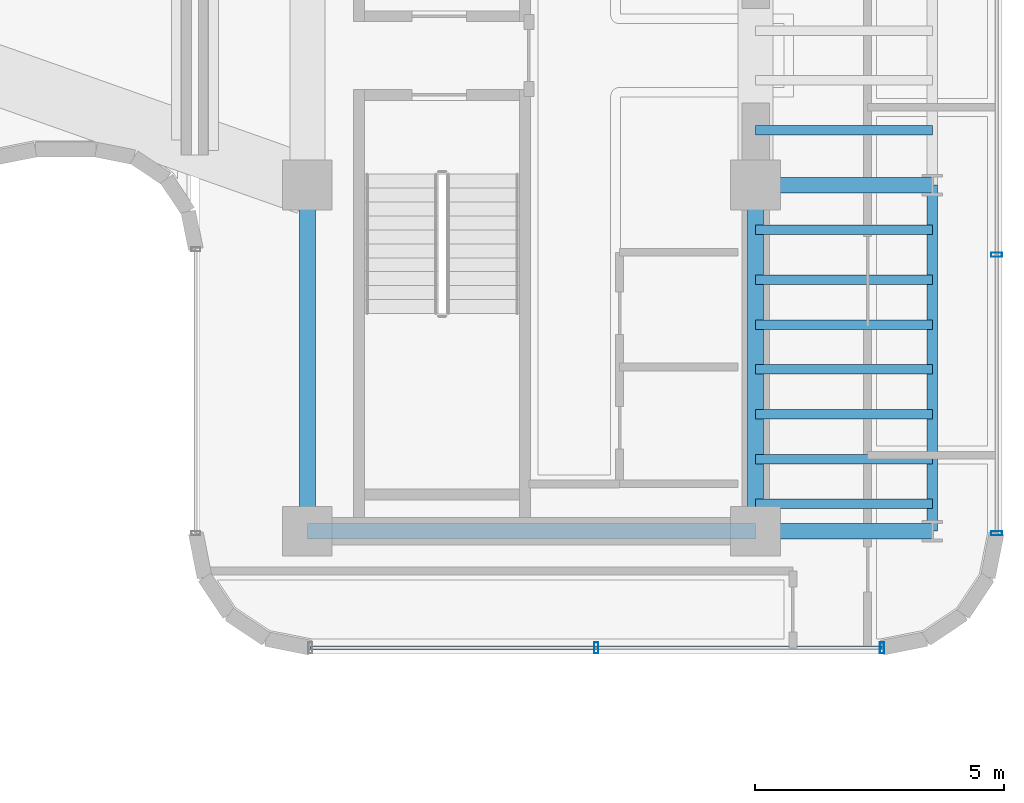
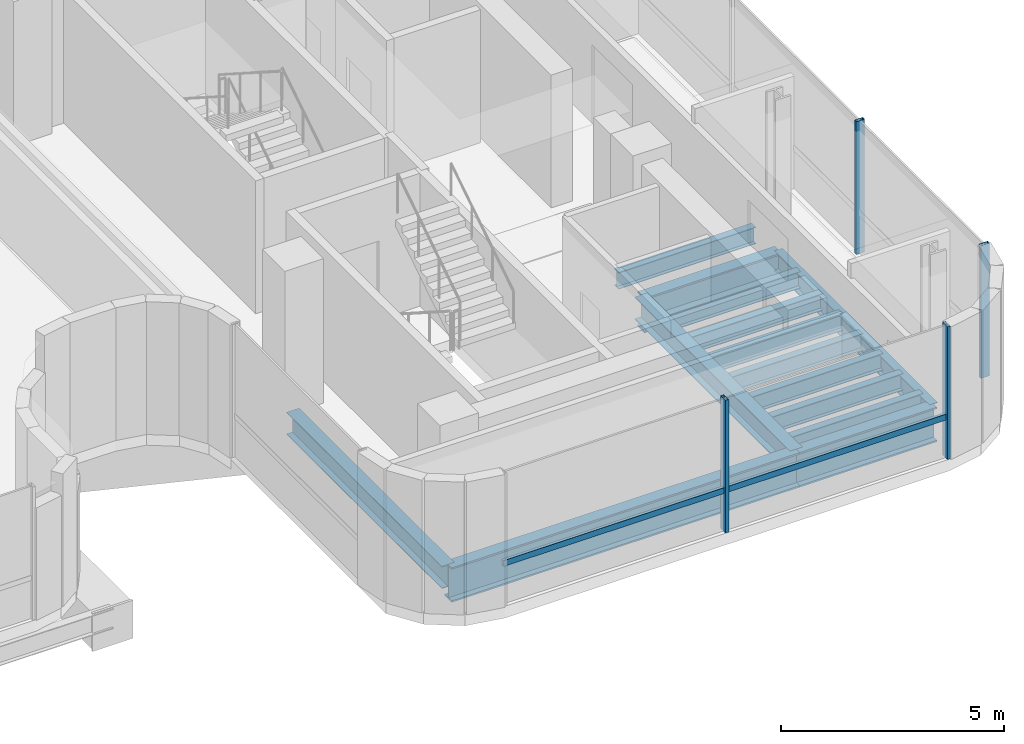
# One storey, part 12 of 36: 14 beams, 5 members, 2 elements without a shape of their own.
"""IFC4 building model written with IfcOpenShell, lengths in metres."""

from ifc_helpers import new_model, si_unit, direction, frame, origin, origin_2d, place, context, subcontext, project, spatial, hollow_rectangle, i_section, extrude, source, transform, mapped, material, material_profile, profile_set, type_object, element, aggregate, save


model = new_model("IFC4")

# Units and contexts
model_context = context("Model", 3, precision=1e-05, world=origin(), true_north=direction((0.0, 1.0)))
body_context = subcontext(model_context, "Body", "Model", "MODEL_VIEW")
ifc_project = project(units=[si_unit("LENGTHUNIT", "METRE"), si_unit("AREAUNIT", "SQUARE_METRE"), si_unit("VOLUMEUNIT", "CUBIC_METRE"), si_unit("PLANEANGLEUNIT", "RADIAN"), si_unit("MASSUNIT", "GRAM", prefix="KILO")], contexts=[model_context])

# Site, building, storey
site_placement = place(None, origin())
site = spatial("IfcSite", under=ifc_project, at=site_placement, CompositionType="ELEMENT")
building_placement = place(site_placement, origin())
building = spatial("IfcBuilding", under=site, at=building_placement, Name="Valdorenza Pilgrim Sanctuary Tower", CompositionType="ELEMENT")
storey_placement = place(building_placement, frame((0.0, 0.0, 176.550048828125)))
storey = spatial("IfcBuildingStorey", under=building, at=storey_placement, Name="L45", CompositionType="ELEMENT", Elevation=176.550048828125)

# Beams
ifc_material_1 = material(Name="Steel ASTM A992 Grade 50", Category="steel")
ifc_material_profile_1 = material_profile(ifc_material_1, i_section(OverallWidth=0.323974609375, OverallDepth=0.611083984375, WebThickness=0.0126953125, FlangeThickness=0.01904296875, at=origin_2d()), Name="W24X104")
ifc_profile_set_1 = profile_set([ifc_material_profile_1], Name="Steel ASTM A992 Grade 50")
beam_type_1 = type_object("IfcBeamType", Name="STR-BM-GRD-W24B", PredefinedType="BEAM", material=ifc_profile_set_1)
shared_shape_1 = source(origin(), body_context, "Body", "SweptSolid", [
    extrude(i_section(OverallWidth=0.323974609375, OverallDepth=0.611083984375, WebThickness=0.0126953125, FlangeThickness=0.01904296875, at=origin_2d()), origin(), (0.0, 0.0, 1.0), 6.949951171875),
])
for number, where, z_axis, x_axis, name in (
    (1, (15.85009765625, -9.550048828125, -0.62548828125), (0.0, 1.0, 0.0), (-1.0, 0.0, 0.0), "L45 Core Tie Girder CB-W-S1M0"),
    (2, (24.85009765625, -9.550048828125, -0.62548828125), (0.0, 1.0, 0.0), (-1.0, 0.0, 0.0), "L45 Core Tie Girder CB-E-S1M0"),
):
    element("IfcBeam", number, at=place(storey_placement, frame(where, z_axis=z_axis, x_axis=x_axis)), inside=storey, type_object=beam_type_1, Name=name, PredefinedType="BEAM", context=body_context, shape_type="MappedRepresentation", body=[
        mapped(shared_shape_1, transform((0.0, 0.0, 0.0), x_axis=(1.0, 0.0, 0.0), y_axis=(0.0, 1.0, 0.0), z_axis=(0.0, 0.0, 1.0), scale=1.0)),
    ])
ifc_material_profile_2 = material_profile(ifc_material_1, i_section(OverallWidth=0.19091796875, OverallDepth=0.45703125, WebThickness=0.009033203125, FlangeThickness=0.014404296875, at=origin_2d()), Name="W18X50")
ifc_profile_set_2 = profile_set([ifc_material_profile_2], Name="Steel ASTM A992 Grade 50")
beam_type_2 = type_object("IfcBeamType", Name="STR-BM-JST-W18B", PredefinedType="JOIST", material=ifc_profile_set_2)
shared_shape_2 = source(origin(), body_context, "Body", "SweptSolid", [
    extrude(i_section(OverallWidth=0.19091796875, OverallDepth=0.45703125, WebThickness=0.009033203125, FlangeThickness=0.014404296875, at=origin_2d()), origin(), (0.0, 0.0, 1.0), 3.5498046875),
])
for number, where, z_axis, x_axis, name in (
    (3, (24.85009765625, -9.0, -0.548583984375), (1.0, 0.0, 0.0), (0.0, 1.0, 0.0), "L45 Composite Floor Joist JST-WB-1"),
    (4, (24.85009765625, -8.10009765625, -0.548583984375), (1.0, 0.0, 0.0), (0.0, 1.0, 0.0), "L45 Composite Floor Joist JST-WB-2"),
    (5, (24.85009765625, -7.199951171875, -0.548583984375), (1.0, 0.0, 0.0), (0.0, 1.0, 0.0), "L45 Composite Floor Joist JST-WB-3"),
    (6, (24.85009765625, -6.300048828125, -0.548583984375), (1.0, 0.0, 0.0), (0.0, 1.0, 0.0), "L45 Composite Floor Joist JST-WB-4"),
    (7, (24.85009765625, -5.39990234375, -0.548583984375), (1.0, 0.0, 0.0), (0.0, 1.0, 0.0), "L45 Composite Floor Joist JST-WB-5"),
    (8, (24.85009765625, -4.5, -0.548583984375), (1.0, 0.0, 0.0), (0.0, 1.0, 0.0), "L45 Composite Floor Joist JST-WB-6"),
    (9, (24.85009765625, -3.5, -0.548583984375), (1.0, 0.0, 0.0), (0.0, 1.0, 0.0), "L45 Composite Floor Joist JST-WB-7"),
    (10, (24.85009765625, -1.5, -0.548583984375), (1.0, 0.0, 0.0), (0.0, 1.0, 0.0), "L45 Composite Floor Joist JST-WB-8"),
):
    element("IfcBeam", number, at=place(storey_placement, frame(where, z_axis=z_axis, x_axis=x_axis)), inside=storey, type_object=beam_type_2, Name=name, PredefinedType="JOIST", context=body_context, shape_type="MappedRepresentation", body=[
        mapped(shared_shape_2, transform((0.0, 0.0, 0.0), x_axis=(1.0, 0.0, 0.0), y_axis=(0.0, 1.0, 0.0), z_axis=(0.0, 0.0, 1.0), scale=1.0)),
    ])
ifc_material_profile_3 = material_profile(ifc_material_1, i_section(OverallWidth=0.2109375, OverallDepth=0.5390625, WebThickness=0.01171875, FlangeThickness=0.018798828125, at=origin_2d()), Name="W21X73")
ifc_profile_set_3 = profile_set([ifc_material_profile_3], Name="Steel ASTM A992 Grade 50")
beam_type_3 = type_object("IfcBeamType", Name="STR-BM-SPN-W21B", PredefinedType="SPANDREL", material=ifc_profile_set_3)
shared_shape_3 = source(origin(), body_context, "Body", "SweptSolid", [
    extrude(i_section(OverallWidth=0.2109375, OverallDepth=0.5390625, WebThickness=0.01171875, FlangeThickness=0.018798828125, at=origin_2d()), origin(), (0.0, 0.0, 1.0), 6.949951171875),
])
beam_1_placement = place(storey_placement, frame((28.39990234375, -9.550048828125, -0.589599609375), z_axis=(0.0, 1.0, 0.0), x_axis=(-1.0, 0.0, 0.0)))
element("IfcBeam", 11, at=beam_1_placement, inside=storey, type_object=beam_type_3, Name="L45 Spandrel Beam WB-E-S1M0", PredefinedType="SPANDREL", context=body_context, shape_type="MappedRepresentation", body=[
    mapped(shared_shape_3, transform((0.0, 0.0, 0.0), x_axis=(1.0, 0.0, 0.0), y_axis=(0.0, 1.0, 0.0), z_axis=(0.0, 0.0, 1.0), scale=1.0)),
])
ifc_material_profile_4 = material_profile(ifc_material_1, i_section(OverallWidth=0.31005859375, OverallDepth=0.949951171875, WebThickness=0.0244140625, FlangeThickness=0.0439453125, at=origin_2d()), Name="W36X256")
ifc_profile_set_4 = profile_set([ifc_material_profile_4], Name="Steel ASTM A992 Grade 50")
beam_type_4 = type_object("IfcBeamType", Name="STR-BM-GRD-W36B", PredefinedType="BEAM", material=ifc_profile_set_4)
shared_shape_4 = source(origin(), body_context, "Body", "SweptSolid", [
    extrude(i_section(OverallWidth=0.31005859375, OverallDepth=0.949951171875, WebThickness=0.0244140625, FlangeThickness=0.0439453125, at=origin_2d()), origin(), (0.0, 0.0, 1.0), 9.0),
])
beam_2_placement = place(storey_placement, frame((15.85009765625, -9.550048828125, -0.795166015625), z_axis=(1.0, 0.0, 0.0), x_axis=(0.0, 1.0, 0.0)))
element("IfcBeam", 12, at=beam_2_placement, inside=storey, type_object=beam_type_4, Name="L45 Floor Girder CB-XC-S1", PredefinedType="BEAM", context=body_context, shape_type="MappedRepresentation", body=[
    mapped(shared_shape_4, transform((0.0, 0.0, 0.0), x_axis=(1.0, 0.0, 0.0), y_axis=(0.0, 1.0, 0.0), z_axis=(0.0, 0.0, 1.0), scale=1.0)),
])
shared_shape_5 = source(origin(), body_context, "Body", "SweptSolid", [
    extrude(i_section(OverallWidth=0.31005859375, OverallDepth=0.949951171875, WebThickness=0.0244140625, FlangeThickness=0.0439453125, at=origin_2d()), origin(), (0.0, 0.0, 1.0), 3.5498046875),
])
for number, where, z_axis, x_axis, name in (
    (13, (24.85009765625, -9.550048828125, -0.795166015625), (1.0, 0.0, 0.0), (0.0, 1.0, 0.0), "L45 Floor Girder WB-XE-S1"),
    (14, (24.85009765625, -2.60009765625, -0.795166015625), (1.0, 0.0, 0.0), (0.0, 1.0, 0.0), "L45 Floor Girder WB-XE-M0"),
):
    element("IfcBeam", number, at=place(storey_placement, frame(where, z_axis=z_axis, x_axis=x_axis)), inside=storey, type_object=beam_type_4, Name=name, PredefinedType="BEAM", context=body_context, shape_type="MappedRepresentation", body=[
        mapped(shared_shape_5, transform((0.0, 0.0, 0.0), x_axis=(1.0, 0.0, 0.0), y_axis=(0.0, 1.0, 0.0), z_axis=(0.0, 0.0, 1.0), scale=1.0)),
    ])

# Curtain wall, member
ifc_material_2 = material(Name="Curtain-wall IGU glazing", Category="glass")
curtain_wall_type = type_object("IfcCurtainWallType", Name="CW-SYS-03", PredefinedType="NOTDEFINED", material=ifc_material_2)
curtain_wall_1_placement = place(storey_placement, origin())
curtain_wall_1 = element("IfcCurtainWall", 15, at=curtain_wall_1_placement, inside=storey, type_object=curtain_wall_type, Name="L45 Curtain Wall CW-L45-1-42", PredefinedType="NOTDEFINED")
ifc_material_3 = material(Name="Anodised aluminium AW-6060", Category="aluminium")
ifc_material_profile_5 = material_profile(ifc_material_3, hollow_rectangle(XDim=0.074951171875, YDim=0.159912109375, WallThickness=0.00390625, at=origin_2d()), Name="ALU-T 160x75x4")
ifc_profile_set_5 = profile_set([ifc_material_profile_5], Name="Anodised aluminium AW-6060")
member_type_1 = type_object("IfcMemberType", Name="CW-TRN-03", PredefinedType="USERDEFINED", material=ifc_profile_set_5)
shared_shape_6 = source(origin(), body_context, "Body", "SweptSolid", [
    extrude(hollow_rectangle(XDim=0.074951171875, YDim=0.159912109375, WallThickness=0.00390625, at=origin_2d()), origin(), (0.0, 0.0, 1.0), 11.478271484375),
])
member_1_placement = place(storey_placement, frame((27.38916015625, -11.889892578125, 1.119873046875), z_axis=(-1.0, 0.0, 0.0), x_axis=(0.0, -1.0, 0.0)))
member_1 = element("IfcMember", 16, at=member_1_placement, type_object=member_type_1, Name="CW-L45-1-42 Transom 1", ObjectType="TRANSOM", PredefinedType="USERDEFINED", context=body_context, shape_type="MappedRepresentation", body=[
    mapped(shared_shape_6, transform((0.0, 0.0, 0.0), x_axis=(1.0, 0.0, 0.0), y_axis=(0.0, 1.0, 0.0), z_axis=(0.0, 0.0, 1.0), scale=1.0)),
])

# Curtain wall, members
curtain_wall_2_placement = place(storey_placement, origin())
curtain_wall_2 = element("IfcCurtainWall", 17, at=curtain_wall_2_placement, inside=storey, type_object=curtain_wall_type, Name="L45 Curtain Wall CW-L45-1-37", PredefinedType="NOTDEFINED")
ifc_material_profile_6 = material_profile(ifc_material_3, hollow_rectangle(XDim=0.0849609375, YDim=0.219970703125, WallThickness=0.0048828125, at=origin_2d()), Name="ALU-M 220x85x5")
ifc_profile_set_6 = profile_set([ifc_material_profile_6], Name="Anodised aluminium AW-6060")
member_type_2 = type_object("IfcMemberType", Name="CW-MUL-03", PredefinedType="MULLION", material=ifc_profile_set_6)
shared_shape_7 = source(origin(), body_context, "Body", "SweptSolid", [
    extrude(hollow_rectangle(XDim=0.0849609375, YDim=0.219970703125, WallThickness=0.0048828125, at=origin_2d()), origin(), (0.0, 0.0, 1.0), 3.6298828125),
])
member_2_placement = place(storey_placement, frame((29.68994140625, -3.999755859375, 0.0), z_axis=(0.0, 0.0, 1.0), x_axis=(0.0, -1.0, 0.0)))
member_2 = element("IfcMember", 18, at=member_2_placement, type_object=member_type_2, Name="CW-L45-1-37 Mullion 4", PredefinedType="MULLION", context=body_context, shape_type="MappedRepresentation", body=[
    mapped(shared_shape_7, transform((0.0, 0.0, 0.0), x_axis=(1.0, 0.0, 0.0), y_axis=(0.0, 1.0, 0.0), z_axis=(0.0, 0.0, 1.0), scale=1.0)),
])
member_3_placement = place(storey_placement, frame((29.68994140625, -9.589111328125, 0.0), z_axis=(0.0, 0.0, 1.0), x_axis=(0.0, -1.0, 0.0)))
member_3 = element("IfcMember", 19, at=member_3_placement, type_object=member_type_2, Name="CW-L45-1-37 Mullion 5", PredefinedType="MULLION", context=body_context, shape_type="MappedRepresentation", body=[
    mapped(shared_shape_7, transform((0.0, 0.0, 0.0), x_axis=(1.0, 0.0, 0.0), y_axis=(0.0, 1.0, 0.0), z_axis=(0.0, 0.0, 1.0), scale=1.0)),
])
aggregate(curtain_wall_2, [member_2, member_3])

# Member
member_4_placement = place(storey_placement, frame((27.38916015625, -11.889892578125, 0.0), z_axis=(0.0, 0.0, 1.0), x_axis=(-1.0, 0.0, 0.0)))
member_4 = element("IfcMember", 20, at=member_4_placement, type_object=member_type_2, Name="CW-L45-1-42 Mullion 1", PredefinedType="MULLION", context=body_context, shape_type="MappedRepresentation", body=[
    mapped(shared_shape_7, transform((0.0, 0.0, 0.0), x_axis=(1.0, 0.0, 0.0), y_axis=(0.0, 1.0, 0.0), z_axis=(0.0, 0.0, 1.0), scale=1.0)),
])

member_5_placement = place(storey_placement, frame((21.64990234375, -11.889892578125, 0.0), z_axis=(0.0, 0.0, 1.0), x_axis=(-1.0, 0.0, 0.0)))
member_5 = element("IfcMember", 21, at=member_5_placement, type_object=member_type_2, Name="CW-L45-1-42 Mullion 2", PredefinedType="MULLION", context=body_context, shape_type="MappedRepresentation", body=[
    mapped(shared_shape_7, transform((0.0, 0.0, 0.0), x_axis=(1.0, 0.0, 0.0), y_axis=(0.0, 1.0, 0.0), z_axis=(0.0, 0.0, 1.0), scale=1.0)),
])

aggregate(curtain_wall_1, [member_4, member_5, member_1])

save(model, "model.ifc")
